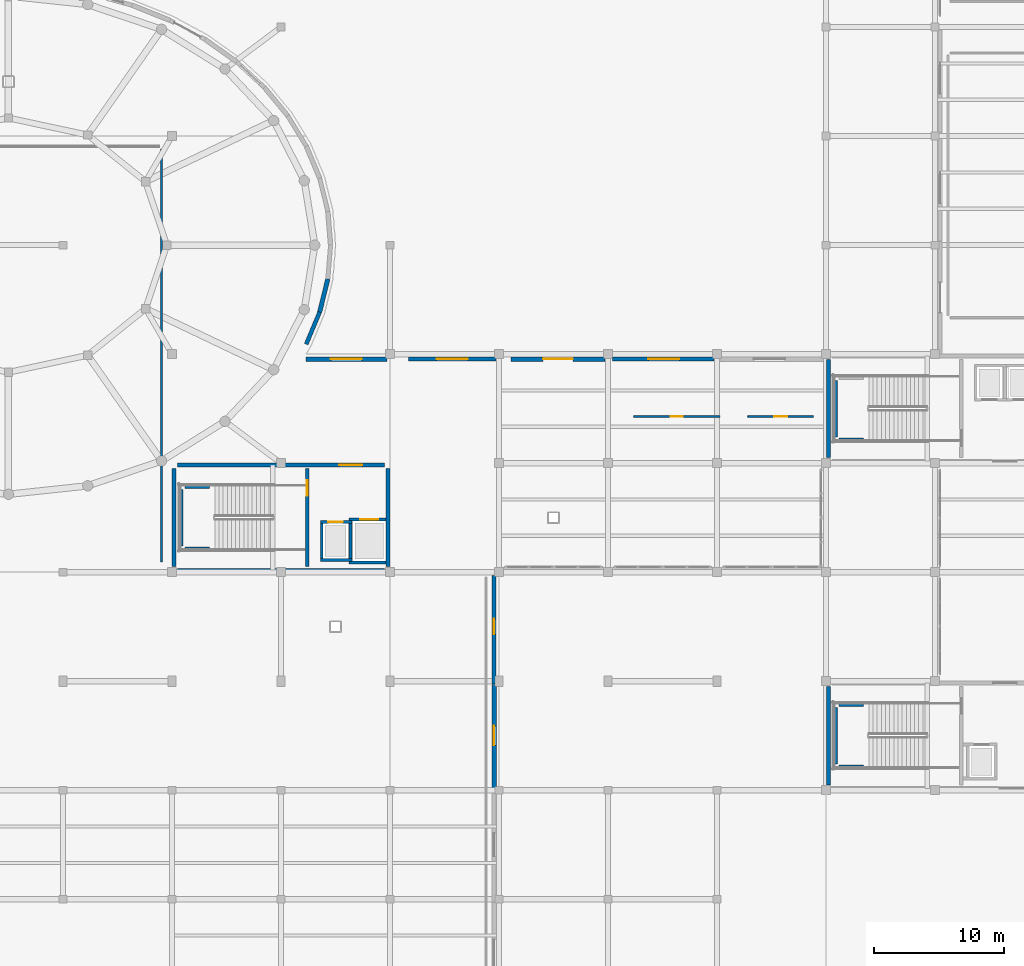
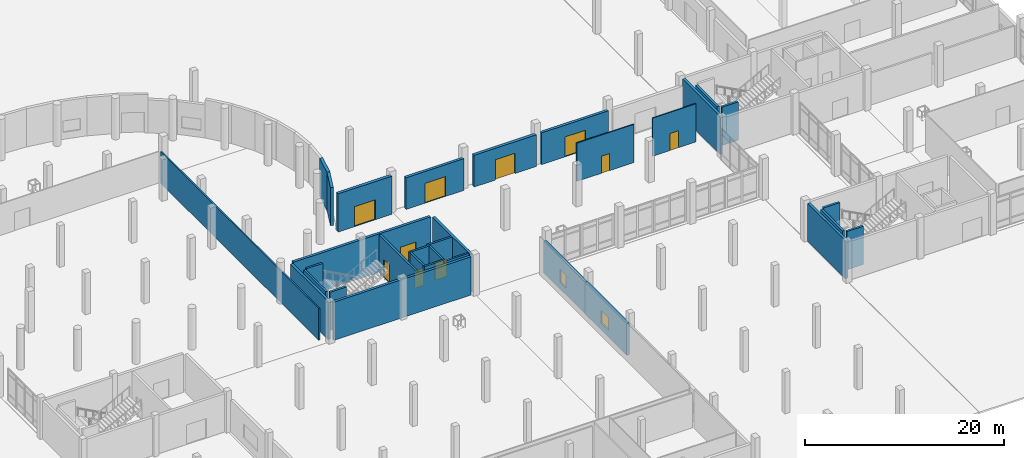
# One storey, part 46 of 64: 32 walls, 10 doors, 2 windows, 12 openings.
"""IFC4 building model written with IfcOpenShell, lengths in metres."""

from ifc_helpers import new_model, si_unit, derived_unit, direction, frame, frame_2d, origin, place, context, subcontext, project, spatial, rectangle, extrude, material, layer, layer_set, type_object, element, fill, save


model = new_model("IFC4")

# Units and contexts
model_context = context("Model", 3, precision=1e-05, world=origin(), true_north=direction((0.0, 1.0)))
body_context = subcontext(model_context, "Body", "Model", "MODEL_VIEW")
ifc_project = project(units=[si_unit("LENGTHUNIT", "METRE"), si_unit("AREAUNIT", "SQUARE_METRE"), si_unit("VOLUMEUNIT", "CUBIC_METRE"), si_unit("PLANEANGLEUNIT", "RADIAN"), si_unit("MASSUNIT", "GRAM", prefix="KILO"), derived_unit("THERMALTRANSMITTANCEUNIT", [(si_unit("POWERUNIT", "WATT"), 1), (si_unit("LENGTHUNIT", "METRE"), -2), (si_unit("THERMODYNAMICTEMPERATUREUNIT", "KELVIN"), -1)])], contexts=[model_context])

# Site, building, storey
site_placement = place(None, origin())
site = spatial("IfcSite", under=ifc_project, at=site_placement, CompositionType="ELEMENT")
building_placement = place(site_placement, origin())
building = spatial("IfcBuilding", under=site, at=building_placement, Name="Elbkamm Science Centre", CompositionType="ELEMENT")
storey_placement = place(building_placement, origin())
storey = spatial("IfcBuildingStorey", under=building, at=storey_placement, Name="L00", CompositionType="ELEMENT", Elevation=0.0)

# Walls
ifc_material_1 = material(Name="Reinforced concrete C40/50", Category="concrete")
ifc_layer_1 = layer(ifc_material_1, 0.25)
ifc_layer_set_1 = layer_set([ifc_layer_1], Name="Reinforced concrete C40/50")
wall_type_1 = type_object("IfcWallType", Name="WL-CORE-250", PredefinedType="SHEAR", material=ifc_layer_set_1)
wall_1_placement = place(storey_placement, frame((76.340087890625, 44.02001953125, 0.0), z_axis=(0.0, 0.0, 1.0), x_axis=(0.0, 1.0, 0.0)))
element("IfcWall", 1, at=wall_1_placement, inside=storey, type_object=wall_type_1, Name="L00 ST-C2 Shaft Bearing Wall W", PredefinedType="SHEAR", context=body_context, shape_type="SweptSolid", body=[
    extrude(rectangle(XDim=4.35986328125, YDim=0.25, at=frame_2d((2.179931640625, 0.0))), origin(), (0.0, 0.0, 1.0), 4.699951171875),
])
for number, where, z_axis, x_axis, name in (
    (2, (76.590087890625, 43.820068359375, 0.0), (0.0, 0.0, 1.0), (1.0, 0.0, 0.0), "L00 ST-C2 Shaft Bearing Wall S"),
    (3, (76.590087890625, 48.580078125, 0.0), (0.0, 0.0, 1.0), (1.0, 0.0, 0.0), "L00 ST-C2 Shaft Bearing Wall N"),
):
    element("IfcWall", number, at=place(storey_placement, frame(where, z_axis=z_axis, x_axis=x_axis)), inside=storey, type_object=wall_type_1, Name=name, PredefinedType="SHEAR", context=body_context, shape_type="SweptSolid", body=[
        extrude(rectangle(XDim=1.889892578125, YDim=0.25, at=frame_2d((0.94482421875, 0.0))), origin(), (0.0, 0.0, 1.0), 4.699951171875),
    ])

# Wall, opening, door
wall_2_placement = place(storey_placement, frame((86.02001953125, 42.419921875, 0.0), z_axis=(0.0, 0.0, 1.0), x_axis=(0.0, 1.0, 0.0)))
wall_2 = element("IfcWall", 4, at=wall_2_placement, inside=storey, type_object=wall_type_1, Name="L00 C2 Stairwell Compartment Wall", PredefinedType="SHEAR", context=body_context, shape_type="SweptSolid", body=[
    extrude(rectangle(XDim=7.56005859375, YDim=0.25, at=frame_2d((3.780029296875, 0.0))), origin(), (0.0, 0.0, 1.0), 4.699951171875),
])
opening_1_placement = place(wall_2_placement, frame((5.4599609375, 0.0, 0.0)))
opening_1 = element("IfcOpeningElement", 5, at=opening_1_placement, cuts=wall_2, Name="Opening DC-02", PredefinedType="OPENING", context=body_context, shape_type="SweptSolid", body=[
    extrude(rectangle(XDim=1.199951171875, YDim=2.199951171875, at=frame_2d((0.60009765625, 1.10009765625))), frame((0.0, 0.136962890625, 0.0), z_axis=(0.0, -1.0, 0.0), x_axis=(1.0, 0.0, 0.0)), (0.0, 0.0, 1.0), 0.27392578125),
])
ifc_material_2 = material(Name="Fire-rated steel acoustic door", Category="steel")
ifc_layer_2 = layer(ifc_material_2, 0.050048828125)
ifc_layer_set_2 = layer_set([ifc_layer_2], Name="Fire-rated steel acoustic door")
door_type_1 = type_object("IfcDoorType", Name="DR-CORE-1200x2200", OperationType="NOTDEFINED", PredefinedType="DOOR", material=ifc_layer_set_2)
door_1_placement = place(opening_1_placement, origin())
door_1 = element("IfcDoor", 6, at=door_1_placement, inside=storey, type_object=door_type_1, Name="L00 ST-C2 Stairwell Fire Door", OperationType="SINGLE_SWING_LEFT", OverallHeight=2.199951171875, OverallWidth=1.199951171875, PredefinedType="DOOR", context=body_context, shape_type="SweptSolid", body=[
    extrude(rectangle(XDim=1.199951171875, YDim=2.199951171875, at=frame_2d((0.60009765625, 1.10009765625))), frame((0.0, 0.02490234375, 0.0), z_axis=(0.0, -1.0, 0.0), x_axis=(1.0, 0.0, 0.0)), (0.0, 0.0, 1.0), 0.050048828125),
])
fill(opening_1, door_1)

# Walls
wall_3_placement = place(storey_placement, frame((126.739990234375, 52.419921875, 0.0), z_axis=(0.0, 0.0, 1.0), x_axis=(0.0, 1.0, 0.0)))
element("IfcWall", 7, at=wall_3_placement, inside=storey, type_object=wall_type_1, Name="L00 ST-C3 Shaft Bearing Wall W", PredefinedType="SHEAR", context=body_context, shape_type="SweptSolid", body=[
    extrude(rectangle(XDim=4.360107421875, YDim=0.25, at=frame_2d((2.18017578125, 0.0))), origin(), (0.0, 0.0, 1.0), 4.699951171875),
])
wall_4_placement = place(storey_placement, frame((126.989990234375, 52.219970703125, 0.0), z_axis=(0.0, 0.0, 1.0), x_axis=(1.0, 0.0, 0.0)))
element("IfcWall", 8, at=wall_4_placement, inside=storey, type_object=wall_type_1, Name="L00 ST-C3 Shaft Bearing Wall S", PredefinedType="SHEAR", context=body_context, shape_type="SweptSolid", body=[
    extrude(rectangle(XDim=1.889892578125, YDim=0.25, at=frame_2d((0.94482421875, 0.0))), origin(), (0.0, 0.0, 1.0), 4.699951171875),
])
wall_5_placement = place(storey_placement, frame((126.739990234375, 27.219970703125, 0.0), z_axis=(0.0, 0.0, 1.0), x_axis=(0.0, 1.0, 0.0)))
element("IfcWall", 9, at=wall_5_placement, inside=storey, type_object=wall_type_1, Name="L00 ST-C4 Shaft Bearing Wall W", PredefinedType="SHEAR", context=body_context, shape_type="SweptSolid", body=[
    extrude(rectangle(XDim=4.360107421875, YDim=0.25, at=frame_2d((2.18017578125, 0.0))), origin(), (0.0, 0.0, 1.0), 4.699951171875),
])
for number, where, z_axis, x_axis, name in (
    (10, (126.989990234375, 27.02001953125, 0.0), (0.0, 0.0, 1.0), (1.0, 0.0, 0.0), "L00 ST-C4 Shaft Bearing Wall S"),
    (11, (126.989990234375, 31.780029296875, 0.0), (0.0, 0.0, 1.0), (1.0, 0.0, 0.0), "L00 ST-C4 Shaft Bearing Wall N"),
):
    element("IfcWall", number, at=place(storey_placement, frame(where, z_axis=z_axis, x_axis=x_axis)), inside=storey, type_object=wall_type_1, Name=name, PredefinedType="SHEAR", context=body_context, shape_type="SweptSolid", body=[
        extrude(rectangle(XDim=1.889892578125, YDim=0.25, at=frame_2d((0.94482421875, 0.0))), origin(), (0.0, 0.0, 1.0), 4.699951171875),
    ])
ifc_layer_3 = layer(ifc_material_1, 0.300048828125)
ifc_layer_set_3 = layer_set([ifc_layer_3], Name="Reinforced concrete C40/50")
wall_type_2 = type_object("IfcWallType", Name="WL-CORE-300", PredefinedType="SHEAR", material=ifc_layer_set_3)
wall_6_placement = place(storey_placement, frame((76.02001953125, 42.14990234375, 0.0), z_axis=(0.0, 0.0, 1.0), x_axis=(1.0, 0.0, 0.0)))
element("IfcWall", 12, at=wall_6_placement, inside=storey, type_object=wall_type_2, Name="L00 Core C2 Central Exhibition and Skybridge Core Shear Wall S", PredefinedType="SHEAR", context=body_context, shape_type="SweptSolid", body=[
    extrude(rectangle(XDim=15.9599609375, YDim=0.300048828125, at=frame_2d((7.97998046875, 0.0))), origin(), (0.0, 0.0, 1.0), 4.699951171875),
])

# Wall, opening, door
wall_7_placement = place(storey_placement, frame((76.02001953125, 50.25, 0.0), z_axis=(0.0, 0.0, 1.0), x_axis=(1.0, 0.0, 0.0)))
wall_7 = element("IfcWall", 13, at=wall_7_placement, inside=storey, type_object=wall_type_2, Name="L00 Core C2 Central Exhibition and Skybridge Core Shear Wall N", PredefinedType="SHEAR", context=body_context, shape_type="SweptSolid", body=[
    extrude(rectangle(XDim=15.9599609375, YDim=0.300048828125, at=frame_2d((7.97998046875, 0.0))), origin(), (0.0, 0.0, 1.0), 4.699951171875),
])
opening_2_placement = place(wall_7_placement, frame((12.4599609375, 0.0, 0.0)))
opening_2 = element("IfcOpeningElement", 14, at=opening_2_placement, cuts=wall_7, Name="Opening DC-01", PredefinedType="OPENING", context=body_context, shape_type="SweptSolid", body=[
    extrude(rectangle(XDim=1.800048828125, YDim=2.199951171875, at=frame_2d((0.89990234375, 1.10009765625))), frame((0.0, 0.162109375, 0.0), z_axis=(0.0, -1.0, 0.0), x_axis=(1.0, 0.0, 0.0)), (0.0, 0.0, 1.0), 0.323974609375),
])
ifc_layer_4 = layer(ifc_material_2, 0.050048828125)
ifc_layer_set_4 = layer_set([ifc_layer_4], Name="Fire-rated steel acoustic door")
door_type_2 = type_object("IfcDoorType", Name="DR-CORE-1800x2200", OperationType="DOUBLE_DOOR_SINGLE_SWING", PredefinedType="DOOR", material=ifc_layer_set_4)
door_2_placement = place(opening_2_placement, origin())
door_2 = element("IfcDoor", 15, at=door_2_placement, inside=storey, type_object=door_type_2, Name="L00 C2 Core Lobby Fire Door", OperationType="DOUBLE_DOOR_SINGLE_SWING", OverallHeight=2.199951171875, OverallWidth=1.800048828125, PredefinedType="DOOR", context=body_context, shape_type="SweptSolid", body=[
    extrude(rectangle(XDim=1.800048828125, YDim=2.199951171875, at=frame_2d((0.89990234375, 1.10009765625))), frame((0.0, 0.02490234375, 0.0), z_axis=(0.0, -1.0, 0.0), x_axis=(1.0, 0.0, 0.0)), (0.0, 0.0, 1.0), 0.050048828125),
])
fill(opening_2, door_2)

# Walls
for number, where, z_axis, x_axis, name in (
    (16, (75.75, 42.419921875, 0.0), (0.0, 0.0, 1.0), (0.0, 1.0, 0.0), "L00 Core C2 Central Exhibition and Skybridge Core Shear Wall W"),
    (17, (92.25, 42.419921875, 0.0), (0.0, 0.0, 1.0), (0.0, 1.0, 0.0), "L00 Core C2 Central Exhibition and Skybridge Core Shear Wall E"),
):
    element("IfcWall", number, at=place(storey_placement, frame(where, z_axis=z_axis, x_axis=x_axis)), inside=storey, type_object=wall_type_2, Name=name, PredefinedType="SHEAR", context=body_context, shape_type="SweptSolid", body=[
        extrude(rectangle(XDim=7.56005859375, YDim=0.300048828125, at=frame_2d((3.780029296875, 0.0))), origin(), (0.0, 0.0, 1.0), 4.699951171875),
    ])
for number, where, z_axis, x_axis, name in (
    (18, (126.179931640625, 50.820068359375, 0.0), (0.0, 0.0, 1.0), (0.0, 1.0, 0.0), "L00 Core C3 Northeast Laboratories and Observatory Core Shear Wall W"),
    (19, (126.179931640625, 25.6201171875, 0.0), (0.0, 0.0, 1.0), (0.0, 1.0, 0.0), "L00 Core C4 Southeast Workshops and Library Core Shear Wall W"),
):
    element("IfcWall", number, at=place(storey_placement, frame(where, z_axis=z_axis, x_axis=x_axis)), inside=storey, type_object=wall_type_2, Name=name, PredefinedType="SHEAR", context=body_context, shape_type="SweptSolid", body=[
        extrude(rectangle(XDim=7.559814453125, YDim=0.300048828125, at=frame_2d((3.77978515625, 0.0))), origin(), (0.0, 0.0, 1.0), 4.699951171875),
    ])
ifc_material_3 = material(Name="White precast concrete C40/50", Category="concrete")
ifc_layer_5 = layer(ifc_material_3, 0.31005859375)
ifc_layer_set_5 = layer_set([ifc_layer_5], Name="White precast concrete C40/50")
wall_type_3 = type_object("IfcWallType", Name="WL-EXT-310", PredefinedType="SOLIDWALL", material=ifc_layer_set_5)
wall_8_placement = place(storey_placement, frame((86.9794921875, 62.03955078125, 0.0), z_axis=(0.0, 0.0, 1.0), x_axis=(-0.386754150365, -0.922182859945, 0.0)))
element("IfcWall", 20, at=wall_8_placement, inside=storey, type_object=wall_type_3, Name="L00 Exterior Wall 0131", PredefinedType="SOLIDWALL", context=body_context, shape_type="SweptSolid", body=[
    extrude(rectangle(XDim=2.681640625, YDim=0.31005859375, at=frame_2d((1.3408203125, 0.0))), origin(), (0.0, 0.0, 1.0), 4.699951171875),
])

# Wall, opening, door
wall_9_placement = place(storey_placement, frame((93.826416015625, 58.419921875, 0.0), z_axis=(0.0, 0.0, 1.0), x_axis=(1.0, 0.0, 0.0)))
wall_9 = element("IfcWall", 21, at=wall_9_placement, inside=storey, type_object=wall_type_3, Name="L00 Exterior Wall 0133", PredefinedType="SOLIDWALL", context=body_context, shape_type="SweptSolid", body=[
    extrude(rectangle(XDim=6.734375, YDim=0.31005859375, at=frame_2d((3.3671875, 0.0))), origin(), (0.0, 0.0, 1.0), 3.89990234375),
])
opening_3_placement = place(wall_9_placement, frame((2.167236328125, 0.0, 0.0)))
opening_3 = element("IfcOpeningElement", 22, at=opening_3_placement, cuts=wall_9, Name="Opening EX-14", PredefinedType="OPENING", context=body_context, shape_type="SweptSolid", body=[
    extrude(rectangle(XDim=2.39990234375, YDim=2.449951171875, at=frame_2d((1.199951171875, 1.22509765625))), frame((0.0, 0.1669921875, 0.0), z_axis=(0.0, -1.0, 0.0), x_axis=(1.0, 0.0, 0.0)), (0.0, 0.0, 1.0), 0.333984375),
])
ifc_material_4 = material(Name="Powder-coated aluminium and laminated glass", Category="aluminium")
ifc_layer_6 = layer(ifc_material_4, 0.050048828125)
ifc_layer_set_6 = layer_set([ifc_layer_6], Name="Powder-coated aluminium and laminated glass")
door_type_3 = type_object("IfcDoorType", Name="DR-EXIT-2400x2450", OperationType="DOUBLE_DOOR_SINGLE_SWING", PredefinedType="DOOR", material=ifc_layer_set_6)
door_3_placement = place(opening_3_placement, origin())
door_3 = element("IfcDoor", 23, at=door_3_placement, inside=storey, type_object=door_type_3, Name="Final Exit Pedestrian Door EX-14", OperationType="DOUBLE_DOOR_SINGLE_SWING", OverallHeight=2.449951171875, OverallWidth=2.39990234375, PredefinedType="DOOR", context=body_context, shape_type="SweptSolid", body=[
    extrude(rectangle(XDim=2.39990234375, YDim=2.449951171875, at=frame_2d((1.199951171875, 1.22509765625))), frame((0.0, 0.02490234375, 0.0), z_axis=(0.0, -1.0, 0.0), x_axis=(1.0, 0.0, 0.0)), (0.0, 0.0, 1.0), 0.050048828125),
])
fill(opening_3, door_3)

wall_10_placement = place(storey_placement, frame((109.552001953125, 58.419921875, 0.0), z_axis=(0.0, 0.0, 1.0), x_axis=(1.0, 0.0, 0.0)))
wall_10 = element("IfcWall", 24, at=wall_10_placement, inside=storey, type_object=wall_type_3, Name="L00 Exterior Wall 0135", PredefinedType="SOLIDWALL", context=body_context, shape_type="SweptSolid", body=[
    extrude(rectangle(XDim=7.808837890625, YDim=0.31005859375, at=frame_2d((3.904296875, 0.0))), origin(), (0.0, 0.0, 1.0), 3.89990234375),
])
opening_4_placement = place(wall_10_placement, frame((2.74755859375, 0.0, 0.0)))
opening_4 = element("IfcOpeningElement", 25, at=opening_4_placement, cuts=wall_10, Name="Opening EX-16", PredefinedType="OPENING", context=body_context, shape_type="SweptSolid", body=[
    extrude(rectangle(XDim=2.39990234375, YDim=2.449951171875, at=frame_2d((1.199951171875, 1.22509765625))), frame((0.0, 0.1669921875, 0.0), z_axis=(0.0, -1.0, 0.0), x_axis=(1.0, 0.0, 0.0)), (0.0, 0.0, 1.0), 0.333984375),
])
door_4_placement = place(opening_4_placement, origin())
door_4 = element("IfcDoor", 26, at=door_4_placement, inside=storey, type_object=door_type_3, Name="Final Exit Pedestrian Door EX-16", OperationType="DOUBLE_DOOR_SINGLE_SWING", OverallHeight=2.449951171875, OverallWidth=2.39990234375, PredefinedType="DOOR", context=body_context, shape_type="SweptSolid", body=[
    extrude(rectangle(XDim=2.39990234375, YDim=2.449951171875, at=frame_2d((1.199951171875, 1.22509765625))), frame((0.0, 0.02490234375, 0.0), z_axis=(0.0, -1.0, 0.0), x_axis=(1.0, 0.0, 0.0)), (0.0, 0.0, 1.0), 0.050048828125),
])
fill(opening_4, door_4)

# Wall, opening, window
wall_11_placement = place(storey_placement, frame((100.419921875, 41.760986328125, 0.0), z_axis=(0.0, 0.0, 1.0), x_axis=(0.0, -1.0, 0.0)))
wall_11 = element("IfcWall", 27, at=wall_11_placement, inside=storey, type_object=wall_type_3, Name="L00 Exterior Wall 0143", PredefinedType="SOLIDWALL", context=body_context, shape_type="SweptSolid", body=[
    extrude(rectangle(XDim=8.385009765625, YDim=0.31005859375, at=frame_2d((4.1923828125, 0.0))), origin(), (0.0, 0.0, 1.0), 3.89990234375),
])
opening_5_placement = place(wall_11_placement, frame((3.36083984375, 0.0, 0.85009765625)))
opening_5 = element("IfcOpeningElement", 28, at=opening_5_placement, cuts=wall_11, Name="Opening W-09", PredefinedType="OPENING", context=body_context, shape_type="SweptSolid", body=[
    extrude(rectangle(XDim=1.199951171875, YDim=1.550048828125, at=frame_2d((0.60009765625, 0.77490234375))), frame((0.0, 0.1669921875, 0.0), z_axis=(0.0, -1.0, 0.0), x_axis=(1.0, 0.0, 0.0)), (0.0, 0.0, 1.0), 0.333984375),
])
ifc_material_5 = material(Name="Thermally broken aluminium and triple solar glass", Category="aluminium")
ifc_layer_7 = layer(ifc_material_5, 0.06005859375)
ifc_layer_set_7 = layer_set([ifc_layer_7], Name="Thermally broken aluminium and triple solar glass")
window_type_1 = type_object("IfcWindowType", Name="WIN-1200x1550", PartitioningType="SINGLE_PANEL", PredefinedType="WINDOW", material=ifc_layer_set_7)
window_1_placement = place(opening_5_placement, origin())
window_1 = element("IfcWindow", 29, at=window_1_placement, inside=storey, type_object=window_type_1, Name="L00 Facade Window 0008", OverallHeight=1.550048828125, OverallWidth=1.199951171875, PartitioningType="SINGLE_PANEL", PredefinedType="WINDOW", context=body_context, shape_type="SweptSolid", body=[
    extrude(rectangle(XDim=1.199951171875, YDim=1.550048828125, at=frame_2d((0.60009765625, 0.77490234375))), frame((0.0, 0.030029296875, 0.0), z_axis=(0.0, -1.0, 0.0), x_axis=(1.0, 0.0, 0.0)), (0.0, 0.0, 1.0), 0.06005859375),
])
fill(opening_5, window_1)

# Wall
ifc_layer_8 = layer(ifc_material_3, 0.340087890625)
ifc_layer_set_8 = layer_set([ifc_layer_8], Name="White precast concrete C40/50")
wall_type_4 = type_object("IfcWallType", Name="WL-EXT-340", PredefinedType="SOLIDWALL", material=ifc_layer_set_8)
wall_12_placement = place(storey_placement, frame((87.608154296875, 64.598388671875, 0.0), z_axis=(0.0, 0.0, 1.0), x_axis=(-0.238587589833, -0.971120982153, 0.0)))
element("IfcWall", 30, at=wall_12_placement, inside=storey, type_object=wall_type_4, Name="L00 Exterior Wall 0130", PredefinedType="SOLIDWALL", context=body_context, shape_type="SweptSolid", body=[
    extrude(rectangle(XDim=2.635009765625, YDim=0.340087890625, at=frame_2d((1.3173828125, 0.0))), origin(), (0.0, 0.0, 1.0), 4.699951171875),
])

# Wall, opening, door
wall_13_placement = place(storey_placement, frame((85.92041015625, 58.419921875, 0.0), z_axis=(0.0, 0.0, 1.0), x_axis=(1.0, 0.0, 0.0)))
wall_13 = element("IfcWall", 31, at=wall_13_placement, inside=storey, type_object=wall_type_4, Name="L00 Exterior Wall 0132", PredefinedType="SOLIDWALL", context=body_context, shape_type="SweptSolid", body=[
    extrude(rectangle(XDim=6.240478515625, YDim=0.340087890625, at=frame_2d((3.1201171875, 0.0))), origin(), (0.0, 0.0, 1.0), 4.699951171875),
])
opening_6_placement = place(wall_13_placement, frame((1.920166015625, 0.0, 0.0)))
opening_6 = element("IfcOpeningElement", 32, at=opening_6_placement, cuts=wall_13, Name="Opening EX-13", PredefinedType="OPENING", context=body_context, shape_type="SweptSolid", body=[
    extrude(rectangle(XDim=2.39990234375, YDim=2.449951171875, at=frame_2d((1.199951171875, 1.22509765625))), frame((0.0, 0.18212890625, 0.0), z_axis=(0.0, -1.0, 0.0), x_axis=(1.0, 0.0, 0.0)), (0.0, 0.0, 1.0), 0.364013671875),
])
door_5_placement = place(opening_6_placement, origin())
door_5 = element("IfcDoor", 33, at=door_5_placement, inside=storey, type_object=door_type_3, Name="Final Exit Pedestrian Door EX-13", OperationType="DOUBLE_DOOR_SINGLE_SWING", OverallHeight=2.449951171875, OverallWidth=2.39990234375, PredefinedType="DOOR", context=body_context, shape_type="SweptSolid", body=[
    extrude(rectangle(XDim=2.39990234375, YDim=2.449951171875, at=frame_2d((1.199951171875, 1.22509765625))), frame((0.0, 0.02490234375, 0.0), z_axis=(0.0, -1.0, 0.0), x_axis=(1.0, 0.0, 0.0)), (0.0, 0.0, 1.0), 0.050048828125),
])
fill(opening_6, door_5)

wall_14_placement = place(storey_placement, frame((101.732177734375, 58.419921875, 0.0), z_axis=(0.0, 0.0, 1.0), x_axis=(1.0, 0.0, 0.0)))
wall_14 = element("IfcWall", 34, at=wall_14_placement, inside=storey, type_object=wall_type_4, Name="L00 Exterior Wall 0134", PredefinedType="SOLIDWALL", context=body_context, shape_type="SweptSolid", body=[
    extrude(rectangle(XDim=7.228759765625, YDim=0.340087890625, at=frame_2d((3.6142578125, 0.0))), origin(), (0.0, 0.0, 1.0), 3.89990234375),
])
opening_7_placement = place(wall_14_placement, frame((2.46435546875, 0.0, 0.0)))
opening_7 = element("IfcOpeningElement", 35, at=opening_7_placement, cuts=wall_14, Name="Opening EX-15", PredefinedType="OPENING", context=body_context, shape_type="SweptSolid", body=[
    extrude(rectangle(XDim=2.300048828125, YDim=2.5, at=frame_2d((1.14990234375, 1.25))), frame((0.0, 0.18212890625, 0.0), z_axis=(0.0, -1.0, 0.0), x_axis=(1.0, 0.0, 0.0)), (0.0, 0.0, 1.0), 0.364013671875),
])
ifc_layer_9 = layer(ifc_material_4, 0.050048828125)
ifc_layer_set_9 = layer_set([ifc_layer_9], Name="Powder-coated aluminium and laminated glass")
door_type_4 = type_object("IfcDoorType", Name="DR-EXIT-2300x2500", OperationType="DOUBLE_DOOR_SINGLE_SWING", PredefinedType="DOOR", material=ifc_layer_set_9)
door_6_placement = place(opening_7_placement, origin())
door_6 = element("IfcDoor", 36, at=door_6_placement, inside=storey, type_object=door_type_4, Name="Final Exit Pedestrian Door EX-15", OperationType="DOUBLE_DOOR_SINGLE_SWING", OverallHeight=2.5, OverallWidth=2.300048828125, PredefinedType="DOOR", context=body_context, shape_type="SweptSolid", body=[
    extrude(rectangle(XDim=2.300048828125, YDim=2.5, at=frame_2d((1.14990234375, 1.25))), frame((0.0, 0.02490234375, 0.0), z_axis=(0.0, -1.0, 0.0), x_axis=(1.0, 0.0, 0.0)), (0.0, 0.0, 1.0), 0.050048828125),
])
fill(opening_7, door_6)

# Wall, opening, window
wall_15_placement = place(storey_placement, frame((100.419921875, 33.36083984375, 0.0), z_axis=(0.0, 0.0, 1.0), x_axis=(0.0, -1.0, 0.0)))
wall_15 = element("IfcWall", 37, at=wall_15_placement, inside=storey, type_object=wall_type_4, Name="L00 Exterior Wall 0144", PredefinedType="SOLIDWALL", context=body_context, shape_type="SweptSolid", body=[
    extrude(rectangle(XDim=8.385009765625, YDim=0.340087890625, at=frame_2d((4.1923828125, 0.0))), origin(), (0.0, 0.0, 1.0), 3.89990234375),
])
opening_8_placement = place(wall_15_placement, frame((3.2109375, 0.0, 0.85009765625)))
opening_8 = element("IfcOpeningElement", 38, at=opening_8_placement, cuts=wall_15, Name="Opening W-10", PredefinedType="OPENING", context=body_context, shape_type="SweptSolid", body=[
    extrude(rectangle(XDim=1.5, YDim=1.550048828125, at=frame_2d((0.75, 0.77490234375))), frame((0.0, 0.18212890625, 0.0), z_axis=(0.0, -1.0, 0.0), x_axis=(1.0, 0.0, 0.0)), (0.0, 0.0, 1.0), 0.364013671875),
])
ifc_layer_10 = layer(ifc_material_5, 0.06005859375)
ifc_layer_set_10 = layer_set([ifc_layer_10], Name="Thermally broken aluminium and triple solar glass")
window_type_2 = type_object("IfcWindowType", Name="WIN-1500x1550", PartitioningType="SINGLE_PANEL", PredefinedType="WINDOW", material=ifc_layer_set_10)
window_2_placement = place(opening_8_placement, origin())
window_2 = element("IfcWindow", 39, at=window_2_placement, inside=storey, type_object=window_type_2, Name="L00 Facade Window 0009", OverallHeight=1.550048828125, OverallWidth=1.5, PartitioningType="SINGLE_PANEL", PredefinedType="WINDOW", context=body_context, shape_type="SweptSolid", body=[
    extrude(rectangle(XDim=1.5, YDim=1.550048828125, at=frame_2d((0.75, 0.77490234375))), frame((0.0, 0.030029296875, 0.0), z_axis=(0.0, -1.0, 0.0), x_axis=(1.0, 0.0, 0.0)), (0.0, 0.0, 1.0), 0.06005859375),
])
fill(opening_8, window_2)

# Wall, opening, door
ifc_material_6 = material(Name="Lightweight metal-stud gypsum partition", Category="gypsum")
ifc_layer_11 = layer(ifc_material_6, 0.125)
ifc_layer_set_11 = layer_set([ifc_layer_11], Name="Lightweight metal-stud gypsum partition")
wall_type_5 = type_object("IfcWallType", Name="WL-PART-125", PredefinedType="PARTITIONING", material=ifc_layer_set_11)
wall_16_placement = place(storey_placement, frame((125.02001953125, 54.0, 0.0), z_axis=(0.0, 0.0, 1.0), x_axis=(-1.0, 0.0, 0.0)))
wall_16 = element("IfcWall", 40, at=wall_16_placement, inside=storey, type_object=wall_type_5, Name="L00 Accessible WC L00 Partition 0046", PredefinedType="PARTITIONING", context=body_context, shape_type="SweptSolid", body=[
    extrude(rectangle(XDim=5.0400390625, YDim=0.125, at=frame_2d((2.52001953125, 0.0))), origin(), (0.0, 0.0, 1.0), 4.699951171875),
])
opening_9_placement = place(wall_16_placement, frame((2.02001953125, 0.0, 0.0)))
opening_9 = element("IfcOpeningElement", 41, at=opening_9_placement, cuts=wall_16, Name="Opening DI-10", PredefinedType="OPENING", context=body_context, shape_type="SweptSolid", body=[
    extrude(rectangle(XDim=1.0, YDim=2.10009765625, at=frame_2d((0.5, 1.050048828125))), frame((0.0, 0.074462890625, 0.0), z_axis=(0.0, -1.0, 0.0), x_axis=(1.0, 0.0, 0.0)), (0.0, 0.0, 1.0), 0.14892578125),
])
ifc_material_7 = material(Name="Powder-coated aluminium accessible WC door", Category="aluminium")
ifc_layer_12 = layer(ifc_material_7, 0.050048828125)
ifc_layer_set_12 = layer_set([ifc_layer_12], Name="Powder-coated aluminium accessible WC door")
door_type_5 = type_object("IfcDoorType", Name="DR-AWC-1000x2100", OperationType="NOTDEFINED", PredefinedType="DOOR", material=ifc_layer_set_12)
door_7_placement = place(opening_9_placement, origin())
door_7 = element("IfcDoor", 42, at=door_7_placement, inside=storey, type_object=door_type_5, Name="L00 Accessible WC L00 Door", OperationType="SINGLE_SWING_LEFT", OverallHeight=2.10009765625, OverallWidth=1.0, PredefinedType="DOOR", context=body_context, shape_type="SweptSolid", body=[
    extrude(rectangle(XDim=1.0, YDim=2.10009765625, at=frame_2d((0.5, 1.050048828125))), frame((0.0, 0.02490234375, 0.0), z_axis=(0.0, -1.0, 0.0), x_axis=(1.0, 0.0, 0.0)), (0.0, 0.0, 1.0), 0.050048828125),
])
fill(opening_9, door_7)

ifc_material_8 = material(Name="Acoustic metal-stud gypsum partition", Category="gypsum")
ifc_layer_13 = layer(ifc_material_8, 0.139892578125)
ifc_layer_set_13 = layer_set([ifc_layer_13], Name="Acoustic metal-stud gypsum partition")
wall_type_6 = type_object("IfcWallType", Name="WL-PART-140", PredefinedType="PARTITIONING", material=ifc_layer_set_13)
wall_17_placement = place(storey_placement, frame((117.820068359375, 54.0, 0.0), z_axis=(0.0, 0.0, 1.0), x_axis=(-1.0, 0.0, 0.0)))
wall_17 = element("IfcWall", 43, at=wall_17_placement, inside=storey, type_object=wall_type_6, Name="L00 Public Washrooms L00 Partition 0045", PredefinedType="PARTITIONING", context=body_context, shape_type="SweptSolid", body=[
    extrude(rectangle(XDim=6.64013671875, YDim=0.139892578125, at=frame_2d((3.320068359375, 0.0))), origin(), (0.0, 0.0, 1.0), 4.699951171875),
])
opening_10_placement = place(wall_17_placement, frame((2.844970703125, 0.0, 0.0)))
opening_10 = element("IfcOpeningElement", 44, at=opening_10_placement, cuts=wall_17, Name="Opening DI-09", PredefinedType="OPENING", context=body_context, shape_type="SweptSolid", body=[
    extrude(rectangle(XDim=0.949951171875, YDim=2.10009765625, at=frame_2d((0.47509765625, 1.050048828125))), frame((0.0, 0.08203125, 0.0), z_axis=(0.0, -1.0, 0.0), x_axis=(1.0, 0.0, 0.0)), (0.0, 0.0, 1.0), 0.163818359375),
])
ifc_material_9 = material(Name="Powder-coated aluminium washroom door", Category="aluminium")
ifc_layer_14 = layer(ifc_material_9, 0.050048828125)
ifc_layer_set_14 = layer_set([ifc_layer_14], Name="Powder-coated aluminium washroom door")
door_type_6 = type_object("IfcDoorType", Name="DR-INT-950x2100", OperationType="NOTDEFINED", PredefinedType="DOOR", material=ifc_layer_set_14)
door_8_placement = place(opening_10_placement, origin())
door_8 = element("IfcDoor", 45, at=door_8_placement, inside=storey, type_object=door_type_6, Name="L00 Public Washrooms L00 Door", OperationType="SINGLE_SWING_LEFT", OverallHeight=2.10009765625, OverallWidth=0.949951171875, PredefinedType="DOOR", context=body_context, shape_type="SweptSolid", body=[
    extrude(rectangle(XDim=0.949951171875, YDim=2.10009765625, at=frame_2d((0.47509765625, 1.050048828125))), frame((0.0, 0.02490234375, 0.0), z_axis=(0.0, -1.0, 0.0), x_axis=(1.0, 0.0, 0.0)), (0.0, 0.0, 1.0), 0.050048828125),
])
fill(opening_10, door_8)

# Walls
ifc_layer_15 = layer(ifc_material_8, 0.159912109375)
ifc_layer_set_15 = layer_set([ifc_layer_15], Name="Acoustic metal-stud gypsum partition")
wall_type_7 = type_object("IfcWallType", Name="WL-PART-160", PredefinedType="PARTITIONING", material=ifc_layer_set_15)
wall_18_placement = place(storey_placement, frame((74.800048828125, 74.6201171875, 0.0), z_axis=(0.0, 0.0, 1.0), x_axis=(0.0, -1.0, 0.0)))
element("IfcWall", 46, at=wall_18_placement, inside=storey, type_object=wall_type_7, Name="L00 Waterfront Entrance Foyer Partition 0024", PredefinedType="PARTITIONING", context=body_context, shape_type="SweptSolid", body=[
    extrude(rectangle(XDim=31.840087890625, YDim=0.159912109375, at=frame_2d((15.919921875, 0.0))), origin(), (0.0, 0.0, 1.0), 3.89990234375),
])
ifc_layer_16 = layer(ifc_material_1, 0.219970703125)
ifc_layer_set_16 = layer_set([ifc_layer_16], Name="Reinforced concrete C40/50")
wall_type_8 = type_object("IfcWallType", Name="WL-SHAFT-220", PredefinedType="SOLIDWALL", material=ifc_layer_set_16)
wall_19_placement = place(storey_placement, frame((87.139892578125, 43.050048828125, 0.0), z_axis=(0.0, 0.0, 1.0), x_axis=(0.0, 1.0, 0.0)))
element("IfcWall", 47, at=wall_19_placement, inside=storey, type_object=wall_type_8, Name="L00 Lift FF2 Shaft West Wall", PredefinedType="SOLIDWALL", context=body_context, shape_type="SweptSolid", body=[
    extrude(rectangle(XDim=2.699951171875, YDim=0.219970703125, at=frame_2d((1.35009765625, 0.0))), origin(), (0.0, 0.0, 1.0), 4.699951171875),
])
wall_20_placement = place(storey_placement, frame((87.030029296875, 42.93994140625, 0.0), z_axis=(0.0, 0.0, 1.0), x_axis=(1.0, 0.0, 0.0)))
element("IfcWall", 48, at=wall_20_placement, inside=storey, type_object=wall_type_8, Name="L00 Lift FF2 Shaft Back Wall", PredefinedType="SOLIDWALL", context=body_context, shape_type="SweptSolid", body=[
    extrude(rectangle(XDim=2.429931640625, YDim=0.219970703125, at=frame_2d((1.21484375, 0.0))), origin(), (0.0, 0.0, 1.0), 4.699951171875),
])

# Wall, opening, door
wall_21_placement = place(storey_placement, frame((87.030029296875, 45.860107421875, 0.0), z_axis=(0.0, 0.0, 1.0), x_axis=(1.0, 0.0, 0.0)))
wall_21 = element("IfcWall", 49, at=wall_21_placement, inside=storey, type_object=wall_type_8, Name="L00 Lift FF2 Shaft Front Wall", PredefinedType="SOLIDWALL", context=body_context, shape_type="SweptSolid", body=[
    extrude(rectangle(XDim=2.429931640625, YDim=0.219970703125, at=frame_2d((1.21484375, 0.0))), origin(), (0.0, 0.0, 1.0), 4.699951171875),
])
opening_11_placement = place(wall_21_placement, frame((0.6201171875, 0.0, 0.0)))
opening_11 = element("IfcOpeningElement", 50, at=opening_11_placement, cuts=wall_21, Name="Opening LD-01", PredefinedType="OPENING", context=body_context, shape_type="SweptSolid", body=[
    extrude(rectangle(XDim=1.10009765625, YDim=2.14990234375, at=frame_2d((0.550048828125, 1.074951171875))), frame((0.0, 0.1220703125, 0.0), z_axis=(0.0, -1.0, 0.0), x_axis=(1.0, 0.0, 0.0)), (0.0, 0.0, 1.0), 0.243896484375),
])
ifc_material_10 = material(Name="Stainless steel lift landing door", Category="steel")
ifc_layer_17 = layer(ifc_material_10, 0.050048828125)
ifc_layer_set_17 = layer_set([ifc_layer_17], Name="Stainless steel lift landing door")
door_type_7 = type_object("IfcDoorType", Name="DR-LIFT-1100x2150", OperationType="DOUBLE_DOOR_SLIDING", PredefinedType="DOOR", material=ifc_layer_set_17)
door_9_placement = place(opening_11_placement, origin())
door_9 = element("IfcDoor", 51, at=door_9_placement, inside=storey, type_object=door_type_7, Name="L00 Lift FF2 Sliding Landing Door", OperationType="DOUBLE_DOOR_SLIDING", OverallHeight=2.14990234375, OverallWidth=1.10009765625, PredefinedType="DOOR", context=body_context, shape_type="SweptSolid", body=[
    extrude(rectangle(XDim=1.10009765625, YDim=2.14990234375, at=frame_2d((0.550048828125, 1.074951171875))), frame((0.0, 0.02490234375, 0.0), z_axis=(0.0, -1.0, 0.0), x_axis=(1.0, 0.0, 0.0)), (0.0, 0.0, 1.0), 0.050048828125),
])
fill(opening_11, door_9)

# Walls
wall_22_placement = place(storey_placement, frame((89.35009765625, 42.85009765625, 0.0), z_axis=(0.0, 0.0, 1.0), x_axis=(0.0, 1.0, 0.0)))
element("IfcWall", 52, at=wall_22_placement, inside=storey, type_object=wall_type_8, Name="L00 Lift GL1 Shaft Divider Wall", PredefinedType="SOLIDWALL", context=body_context, shape_type="SweptSolid", body=[
    extrude(rectangle(XDim=3.099853515625, YDim=0.219970703125, at=frame_2d((1.5498046875, 0.0))), origin(), (0.0, 0.0, 1.0), 4.699951171875),
])
wall_23_placement = place(storey_placement, frame((89.239990234375, 42.739990234375, 0.0), z_axis=(0.0, 0.0, 1.0), x_axis=(1.0, 0.0, 0.0)))
element("IfcWall", 53, at=wall_23_placement, inside=storey, type_object=wall_type_8, Name="L00 Lift GL1 Shaft Back Wall", PredefinedType="SOLIDWALL", context=body_context, shape_type="SweptSolid", body=[
    extrude(rectangle(XDim=2.860107421875, YDim=0.219970703125, at=frame_2d((1.43017578125, 0.0))), origin(), (0.0, 0.0, 1.0), 4.699951171875),
])

# Wall, opening, door
wall_24_placement = place(storey_placement, frame((89.239990234375, 46.06005859375, 0.0), z_axis=(0.0, 0.0, 1.0), x_axis=(1.0, 0.0, 0.0)))
wall_24 = element("IfcWall", 54, at=wall_24_placement, inside=storey, type_object=wall_type_8, Name="L00 Lift GL1 Shaft Front Wall", PredefinedType="SOLIDWALL", context=body_context, shape_type="SweptSolid", body=[
    extrude(rectangle(XDim=2.860107421875, YDim=0.219970703125, at=frame_2d((1.43017578125, 0.0))), origin(), (0.0, 0.0, 1.0), 4.699951171875),
])
opening_12_placement = place(wall_24_placement, frame((0.860107421875, 0.0, 0.0)))
opening_12 = element("IfcOpeningElement", 55, at=opening_12_placement, cuts=wall_24, Name="Opening LD-02", PredefinedType="OPENING", context=body_context, shape_type="SweptSolid", body=[
    extrude(rectangle(XDim=1.39990234375, YDim=2.199951171875, at=frame_2d((0.699951171875, 1.10009765625))), frame((0.0, 0.1220703125, 0.0), z_axis=(0.0, -1.0, 0.0), x_axis=(1.0, 0.0, 0.0)), (0.0, 0.0, 1.0), 0.243896484375),
])
ifc_material_11 = material(Name="Stainless steel freight lift landing door", Category="steel")
ifc_layer_18 = layer(ifc_material_11, 0.050048828125)
ifc_layer_set_18 = layer_set([ifc_layer_18], Name="Stainless steel freight lift landing door")
door_type_8 = type_object("IfcDoorType", Name="DR-LIFT-1400x2200", OperationType="DOUBLE_DOOR_SLIDING", PredefinedType="DOOR", material=ifc_layer_set_18)
door_10_placement = place(opening_12_placement, origin())
door_10 = element("IfcDoor", 56, at=door_10_placement, inside=storey, type_object=door_type_8, Name="L00 Lift GL1 Sliding Landing Door", OperationType="DOUBLE_DOOR_SLIDING", OverallHeight=2.199951171875, OverallWidth=1.39990234375, PredefinedType="DOOR", context=body_context, shape_type="SweptSolid", body=[
    extrude(rectangle(XDim=1.39990234375, YDim=2.199951171875, at=frame_2d((0.699951171875, 1.10009765625))), frame((0.0, 0.02490234375, 0.0), z_axis=(0.0, -1.0, 0.0), x_axis=(1.0, 0.0, 0.0)), (0.0, 0.0, 1.0), 0.050048828125),
])
fill(opening_12, door_10)

save(model, "model.ifc")
